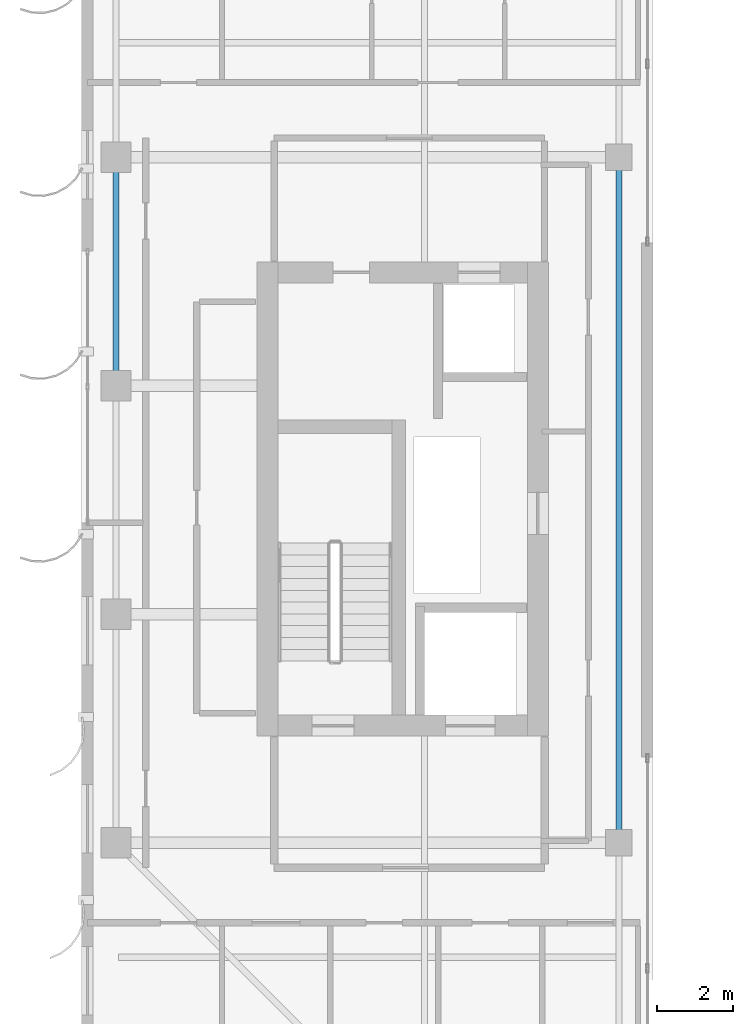
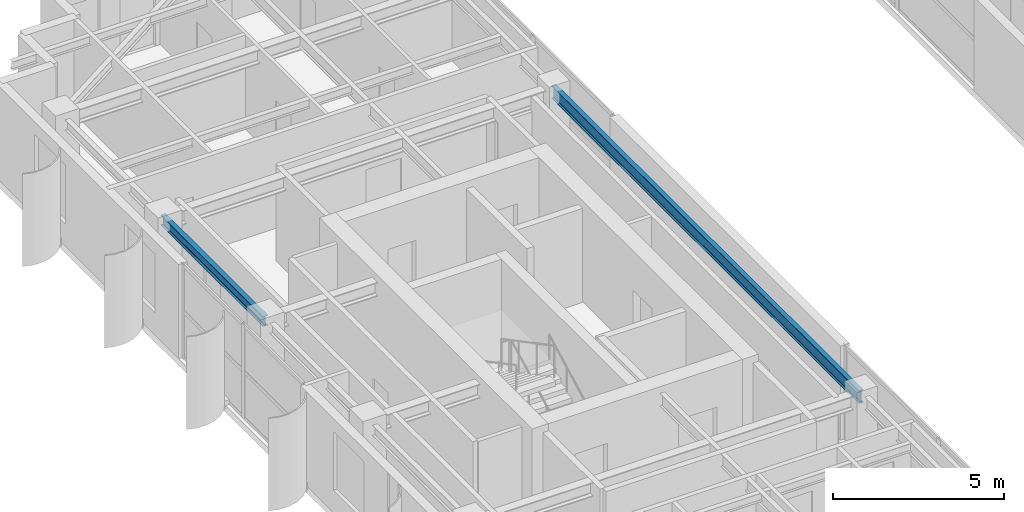
# One storey, part 6 of 23: 2 beams.
"""IFC4 building model written with IfcOpenShell, lengths in metres."""

from ifc_helpers import new_model, si_unit, direction, frame, origin, origin_2d, place, context, subcontext, project, spatial, i_section, extrude, source, transform, mapped, material, material_profile, profile_set, type_object, element, save


model = new_model("IFC4")

# Units and contexts
model_context = context("Model", 3, precision=1e-05, world=origin(), true_north=direction((0.0, 1.0)))
body_context = subcontext(model_context, "Body", "Model", "MODEL_VIEW")
ifc_project = project(units=[si_unit("LENGTHUNIT", "METRE"), si_unit("AREAUNIT", "SQUARE_METRE"), si_unit("VOLUMEUNIT", "CUBIC_METRE"), si_unit("PLANEANGLEUNIT", "RADIAN"), si_unit("MASSUNIT", "GRAM", prefix="KILO")], contexts=[model_context])

# Site, building, storey
site_placement = place(None, origin())
site = spatial("IfcSite", under=ifc_project, at=site_placement, CompositionType="ELEMENT")
building_placement = place(site_placement, origin())
building = spatial("IfcBuilding", under=site, at=building_placement, Name="Khoralis Quay Care Tower", CompositionType="ELEMENT")
storey_placement = place(building_placement, frame((0.0, 0.0, 245.699951171875)))
storey = spatial("IfcBuildingStorey", under=building, at=storey_placement, Name="L64", CompositionType="ELEMENT", Elevation=245.699951171875)

# Beams
ifc_material = material(Name="Steel S355", Category="steel")
ifc_material_profile_1 = material_profile(ifc_material, i_section(OverallWidth=0.169921875, OverallDepth=0.360107421875, WebThickness=0.008056640625, FlangeThickness=0.0126953125, FilletRadius=0.01806640625, at=origin_2d()), Name="Steel S355")
ifc_profile_set_1 = profile_set([ifc_material_profile_1], Name="Steel S355")
beam_type_1 = type_object("IfcBeamType", Name="BM-IPE360", PredefinedType="SPANDREL", material=ifc_profile_set_1)
shared_shape_1 = source(origin(), body_context, "Body", "SweptSolid", [
    extrude(i_section(OverallWidth=0.169921875, OverallDepth=0.360107421875, WebThickness=0.008056640625, FlangeThickness=0.0126953125, FilletRadius=0.01806640625, at=origin_2d()), origin(), (0.0, 0.0, 1.0), 6.0),
])
beam_1_placement = place(storey_placement, frame((3.89990234375, 24.0, 3.179931640625), z_axis=(0.0, 1.0, 0.0), x_axis=(-1.0, 0.0, 0.0)))
element("IfcBeam", 1, at=beam_1_placement, inside=storey, type_object=beam_type_1, Name="BM-TSP-L64-07", PredefinedType="SPANDREL", context=body_context, shape_type="MappedRepresentation", body=[
    mapped(shared_shape_1, transform((0.0, 0.0, 0.0), scale=1.0)),
])
ifc_material_profile_2 = material_profile(ifc_material, i_section(OverallWidth=0.154052734375, OverallDepth=0.458984375, WebThickness=0.009033203125, FlangeThickness=0.015380859375, FilletRadius=0.014892578125, at=origin_2d()), Name="Steel S355")
ifc_profile_set_2 = profile_set([ifc_material_profile_2], Name="Steel S355")
beam_type_2 = type_object("IfcBeamType", Name="BM-W460X68", PredefinedType="BEAM", material=ifc_profile_set_2)
shared_shape_2 = source(origin(), body_context, "Body", "SweptSolid", [
    extrude(i_section(OverallWidth=0.154052734375, OverallDepth=0.458984375, WebThickness=0.009033203125, FlangeThickness=0.015380859375, FilletRadius=0.014892578125, at=origin_2d()), origin(), (0.0, 0.0, 1.0), 18.0),
])
beam_2_placement = place(storey_placement, frame((17.10009765625, 12.0, 3.130615234375), z_axis=(0.0, 1.0, 0.0), x_axis=(-1.0, 0.0, 0.0)))
element("IfcBeam", 2, at=beam_2_placement, inside=storey, type_object=beam_type_2, Name="BM-TGSW-L64", PredefinedType="BEAM", context=body_context, shape_type="MappedRepresentation", body=[
    mapped(shared_shape_2, transform((0.0, 0.0, 0.0), scale=1.0)),
])

save(model, "model.ifc")
